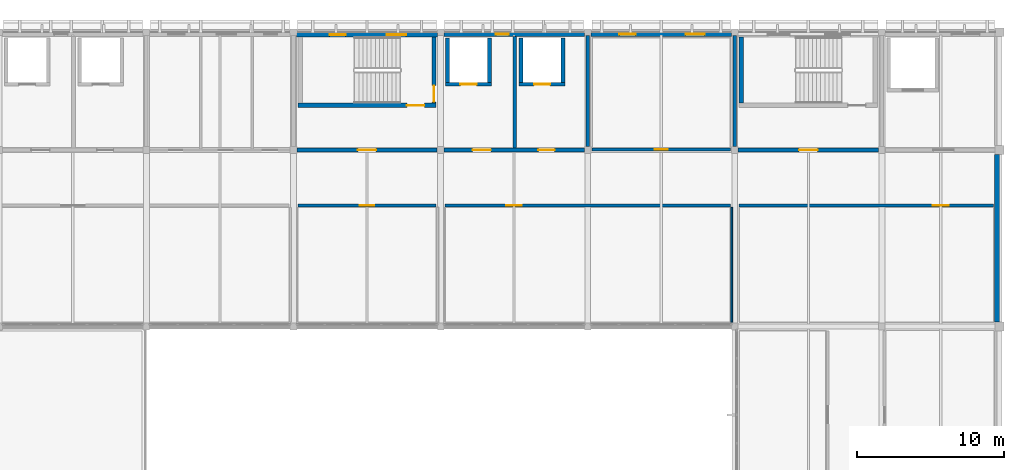
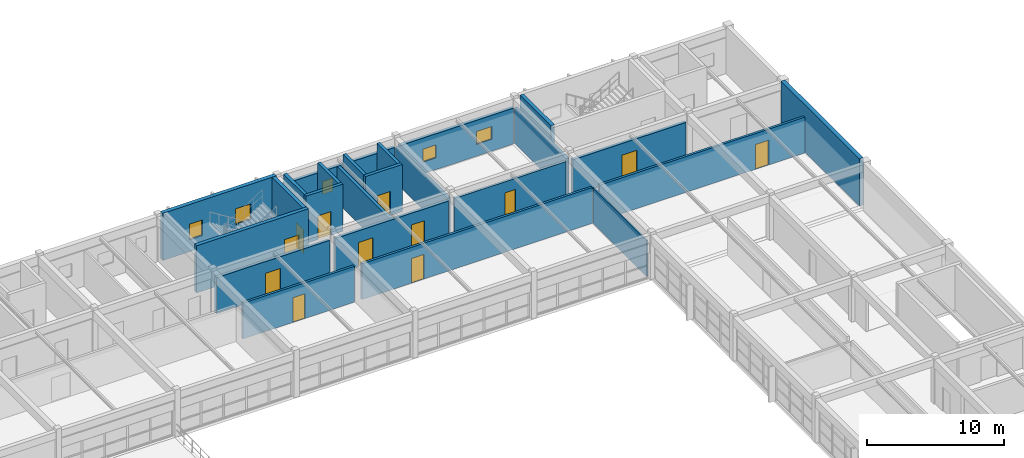
# One storey, part 16 of 21: 24 walls, 12 doors, 5 windows, 17 openings.
"""IFC4 building model written with IfcOpenShell, lengths in metres."""

from ifc_helpers import new_model, si_unit, direction, frame, frame_2d, origin, place, context, subcontext, project, spatial, rectangle, extrude, material, layer, layer_set, type_object, element, fill, save


model = new_model("IFC4")

# Units and contexts
model_context = context("Model", 3, precision=1e-05, world=origin(), true_north=direction((0.0, 1.0)))
body_context = subcontext(model_context, "Body", "Model", "MODEL_VIEW")
ifc_project = project(units=[si_unit("LENGTHUNIT", "METRE"), si_unit("AREAUNIT", "SQUARE_METRE"), si_unit("VOLUMEUNIT", "CUBIC_METRE"), si_unit("PLANEANGLEUNIT", "RADIAN"), si_unit("MASSUNIT", "GRAM", prefix="KILO")], contexts=[model_context])

# Site, building, storey
site_placement = place(None, origin())
site = spatial("IfcSite", under=ifc_project, at=site_placement, CompositionType="ELEMENT")
building_placement = place(site_placement, origin())
building = spatial("IfcBuilding", under=site, at=building_placement, Name="Kivolera Central Railway Station", CompositionType="ELEMENT")
storey_placement = place(building_placement, frame((0.0, 0.0, 22.800048828125)))
storey = spatial("IfcBuildingStorey", under=building, at=storey_placement, Name="L05", CompositionType="ELEMENT", Elevation=22.800048828125)

# Wall, opening, door
ifc_material_1 = material(Name="Swahili coral limestone", Category="masonry")
ifc_layer_1 = layer(ifc_material_1, 0.199951171875, Name="Swahili coral limestone")
ifc_layer_set_1 = layer_set([ifc_layer_1], Name="Swahili coral limestone")
wall_type_1 = type_object("IfcWallType", Name="WL-COR-200", PredefinedType="PARTITIONING", material=ifc_layer_set_1)
wall_1_placement = place(storey_placement, frame((168.300048828125, 126.030029296875, 0.0), z_axis=(0.0, 0.0, 1.0), x_axis=(1.0, 0.0, 0.0)))
wall_1 = element("IfcWall", 1, at=wall_1_placement, inside=storey, type_object=wall_type_1, Name="L05 Occupational Health Examination Room Corridor Wall", PredefinedType="PARTITIONING", context=body_context, shape_type="SweptSolid", body=[
    extrude(rectangle(XDim=9.39990234375, YDim=0.199951171875, at=frame_2d((4.699951171875, 0.0))), origin(), (0.0, 0.0, 1.0), 3.18798828125),
])
opening_1_placement = place(wall_1_placement, frame((4.25, 0.0, 0.0)))
opening_1 = element("IfcOpeningElement", 2, at=opening_1_placement, cuts=wall_1, Name="Opening D-SG-07", PredefinedType="OPENING", context=body_context, shape_type="SweptSolid", body=[
    extrude(rectangle(XDim=0.89990234375, YDim=2.199951171875, at=frame_2d((0.449951171875, 1.10009765625))), frame((0.0, 0.10986328125, 0.0), z_axis=(0.0, -1.0, 0.0), x_axis=(1.0, 0.0, 0.0)), (0.0, 0.0, 1.0), 0.219970703125),
])
ifc_material_2 = material(Name="Hardwood mvule timber", Category="wood")
door_type_1 = type_object("IfcDoorType", Name="DR-D-SG-07", OperationType="NOTDEFINED", PredefinedType="DOOR", material=ifc_material_2)
door_1_placement = place(opening_1_placement, origin())
door_1 = element("IfcDoor", 3, at=door_1_placement, inside=storey, type_object=door_type_1, Name="L05 Occupational Health Examination Room Door", OperationType="SINGLE_SWING_RIGHT", OverallHeight=2.199951171875, OverallWidth=0.89990234375, PredefinedType="DOOR", context=body_context, shape_type="SweptSolid", body=[
    extrude(rectangle(XDim=0.89990234375, YDim=2.199951171875, at=frame_2d((0.449951171875, 1.10009765625))), frame((0.0, 0.02490234375, 0.0), z_axis=(0.0, -1.0, 0.0), x_axis=(1.0, 0.0, 0.0)), (0.0, 0.0, 1.0), 0.050048828125),
])
fill(opening_1, door_1)

wall_2_placement = place(storey_placement, frame((148.300048828125, 122.219970703125, 0.0), z_axis=(0.0, 0.0, 1.0), x_axis=(1.0, 0.0, 0.0)))
wall_2 = element("IfcWall", 4, at=wall_2_placement, inside=storey, type_object=wall_type_1, Name="L05 Staff Canteen Culinary Studio Corridor Wall", PredefinedType="PARTITIONING", context=body_context, shape_type="SweptSolid", body=[
    extrude(rectangle(XDim=9.39990234375, YDim=0.199951171875, at=frame_2d((4.699951171875, 0.0))), origin(), (0.0, 0.0, 1.0), 3.18798828125),
])
opening_2_placement = place(wall_2_placement, frame((4.199951171875, 0.0, 0.0)))
opening_2 = element("IfcOpeningElement", 5, at=opening_2_placement, cuts=wall_2, Name="Opening D-SG-09", PredefinedType="OPENING", context=body_context, shape_type="SweptSolid", body=[
    extrude(rectangle(XDim=1.0, YDim=2.199951171875, at=frame_2d((0.5, 1.10009765625))), frame((0.0, 0.10986328125, 0.0), z_axis=(0.0, -1.0, 0.0), x_axis=(1.0, 0.0, 0.0)), (0.0, 0.0, 1.0), 0.219970703125),
])
door_type_2 = type_object("IfcDoorType", Name="DR-D-SG-09", OperationType="NOTDEFINED", PredefinedType="DOOR", material=ifc_material_2)
door_2_placement = place(opening_2_placement, origin())
door_2 = element("IfcDoor", 6, at=door_2_placement, inside=storey, type_object=door_type_2, Name="L05 Staff Canteen Culinary Studio Door", OperationType="SINGLE_SWING_LEFT", OverallHeight=2.199951171875, OverallWidth=1.0, PredefinedType="DOOR", context=body_context, shape_type="SweptSolid", body=[
    extrude(rectangle(XDim=1.0, YDim=2.199951171875, at=frame_2d((0.5, 1.10009765625))), frame((0.0, 0.02490234375, 0.0), z_axis=(0.0, -1.0, 0.0), x_axis=(1.0, 0.0, 0.0)), (0.0, 0.0, 1.0), 0.050048828125),
])
fill(opening_2, door_2)

wall_3_placement = place(storey_placement, frame((158.300048828125, 122.219970703125, 0.0), z_axis=(0.0, 0.0, 1.0), x_axis=(1.0, 0.0, 0.0)))
wall_3 = element("IfcWall", 7, at=wall_3_placement, inside=storey, type_object=wall_type_1, Name="L05 Locomotive Crew Rostering Office Corridor Wall", PredefinedType="PARTITIONING", context=body_context, shape_type="SweptSolid", body=[
    extrude(rectangle(XDim=19.39990234375, YDim=0.199951171875, at=frame_2d((9.699951171875, 0.0))), origin(), (0.0, 0.0, 1.0), 3.18798828125),
])
opening_3_placement = place(wall_3_placement, frame((4.175048828125, 0.0, 0.0)))
opening_3 = element("IfcOpeningElement", 8, at=opening_3_placement, cuts=wall_3, Name="Opening D-SG-10", PredefinedType="OPENING", context=body_context, shape_type="SweptSolid", body=[
    extrude(rectangle(XDim=1.050048828125, YDim=2.199951171875, at=frame_2d((0.52490234375, 1.10009765625))), frame((0.0, 0.10986328125, 0.0), z_axis=(0.0, -1.0, 0.0), x_axis=(1.0, 0.0, 0.0)), (0.0, 0.0, 1.0), 0.219970703125),
])
door_type_3 = type_object("IfcDoorType", Name="DR-D-SG-10", OperationType="NOTDEFINED", PredefinedType="DOOR", material=ifc_material_2)
door_3_placement = place(opening_3_placement, origin())
door_3 = element("IfcDoor", 9, at=door_3_placement, inside=storey, type_object=door_type_3, Name="L05 Locomotive Crew Rostering Office Door", OperationType="SINGLE_SWING_RIGHT", OverallHeight=2.199951171875, OverallWidth=1.050048828125, PredefinedType="DOOR", context=body_context, shape_type="SweptSolid", body=[
    extrude(rectangle(XDim=1.050048828125, YDim=2.199951171875, at=frame_2d((0.52490234375, 1.10009765625))), frame((0.0, 0.02490234375, 0.0), z_axis=(0.0, -1.0, 0.0), x_axis=(1.0, 0.0, 0.0)), (0.0, 0.0, 1.0), 0.050048828125),
])
fill(opening_3, door_3)

wall_4_placement = place(storey_placement, frame((178.300048828125, 122.219970703125, 0.0), z_axis=(0.0, 0.0, 1.0), x_axis=(1.0, 0.0, 0.0)))
wall_4 = element("IfcWall", 10, at=wall_4_placement, inside=storey, type_object=wall_type_1, Name="L05 Conductors' Shift Briefing Classroom Corridor Wall", PredefinedType="PARTITIONING", context=body_context, shape_type="SweptSolid", body=[
    extrude(rectangle(XDim=17.300048828125, YDim=0.199951171875, at=frame_2d((8.64990234375, 0.0))), origin(), (0.0, 0.0, 1.0), 3.18798828125),
])
opening_4_placement = place(wall_4_placement, frame((13.14990234375, 0.0, 0.0)))
opening_4 = element("IfcOpeningElement", 11, at=opening_4_placement, cuts=wall_4, Name="Opening D-SG-11", PredefinedType="OPENING", context=body_context, shape_type="SweptSolid", body=[
    extrude(rectangle(XDim=1.10009765625, YDim=2.199951171875, at=frame_2d((0.550048828125, 1.10009765625))), frame((0.0, 0.10986328125, 0.0), z_axis=(0.0, -1.0, 0.0), x_axis=(1.0, 0.0, 0.0)), (0.0, 0.0, 1.0), 0.219970703125),
])
door_type_4 = type_object("IfcDoorType", Name="DR-D-SG-11", OperationType="NOTDEFINED", PredefinedType="DOOR", material=ifc_material_2)
door_4_placement = place(opening_4_placement, origin())
door_4 = element("IfcDoor", 12, at=door_4_placement, inside=storey, type_object=door_type_4, Name="L05 Conductors' Shift Briefing Classroom Door", OperationType="SINGLE_SWING_LEFT", OverallHeight=2.199951171875, OverallWidth=1.10009765625, PredefinedType="DOOR", context=body_context, shape_type="SweptSolid", body=[
    extrude(rectangle(XDim=1.10009765625, YDim=2.199951171875, at=frame_2d((0.550048828125, 1.10009765625))), frame((0.0, 0.02490234375, 0.0), z_axis=(0.0, -1.0, 0.0), x_axis=(1.0, 0.0, 0.0)), (0.0, 0.0, 1.0), 0.050048828125),
])
fill(opening_4, door_4)

ifc_material_3 = material(Name="Concrete C40/50", Category="concrete")
ifc_layer_2 = layer(ifc_material_3, 0.300048828125, Name="Concrete C40/50")
ifc_layer_set_2 = layer_set([ifc_layer_2], Name="Concrete C40/50")
wall_type_2 = type_object("IfcWallType", Name="WL-CORE-300", PredefinedType="SHEAR", material=ifc_layer_set_2)
wall_5_placement = place(storey_placement, frame((157.699951171875, 129.030029296875, 0.0), z_axis=(0.0, 0.0, 1.0), x_axis=(-1.0, 0.0, 0.0)))
wall_5 = element("IfcWall", 13, at=wall_5_placement, inside=storey, type_object=wall_type_2, Name="L05 ST2 Core Right Shear Wall", PredefinedType="SHEAR", context=body_context, shape_type="SweptSolid", body=[
    extrude(rectangle(XDim=9.39990234375, YDim=0.300048828125, at=frame_2d((4.699951171875, 0.0))), origin(), (0.0, 0.0, 1.0), 4.199951171875),
])
opening_5_placement = place(wall_5_placement, frame((0.800048828125, 0.0, 0.0)))
opening_5 = element("IfcOpeningElement", 14, at=opening_5_placement, cuts=wall_5, Name="Opening D-STAIR-1200", PredefinedType="OPENING", context=body_context, shape_type="SweptSolid", body=[
    extrude(rectangle(XDim=1.199951171875, YDim=2.14990234375, at=frame_2d((0.60009765625, 1.074951171875))), frame((0.0, 0.159912109375, 0.0), z_axis=(0.0, -1.0, 0.0), x_axis=(1.0, 0.0, 0.0)), (0.0, 0.0, 1.0), 0.320068359375),
])
door_type_5 = type_object("IfcDoorType", Name="DR-D-STAIR-1200", OperationType="NOTDEFINED", PredefinedType="DOOR", material=ifc_material_2)
door_5_placement = place(opening_5_placement, origin())
door_5 = element("IfcDoor", 15, at=door_5_placement, inside=storey, type_object=door_type_5, Name="L05 ST2 Vestibule Fire Door", OperationType="SINGLE_SWING_LEFT", OverallHeight=2.14990234375, OverallWidth=1.199951171875, PredefinedType="DOOR", context=body_context, shape_type="SweptSolid", body=[
    extrude(rectangle(XDim=1.199951171875, YDim=2.14990234375, at=frame_2d((0.60009765625, 1.074951171875))), frame((0.0, 0.02490234375, 0.0), z_axis=(0.0, -1.0, 0.0), x_axis=(1.0, 0.0, 0.0)), (0.0, 0.0, 1.0), 0.050048828125),
])
fill(opening_5, door_5)

wall_6_placement = place(storey_placement, frame((157.550048828125, 133.679931640625, 0.0), z_axis=(0.0, 0.0, 1.0), x_axis=(0.0, -1.0, 0.0)))
wall_6 = element("IfcWall", 16, at=wall_6_placement, inside=storey, type_object=wall_type_2, Name="L05 ST2 Core Near Shear Wall", PredefinedType="SHEAR", context=body_context, shape_type="SweptSolid", body=[
    extrude(rectangle(XDim=4.5, YDim=0.300048828125, at=frame_2d((2.25, 0.0))), origin(), (0.0, 0.0, 1.0), 4.199951171875),
])
opening_6_placement = place(wall_6_placement, frame((3.300048828125, 0.0, 0.0)))
opening_6 = element("IfcOpeningElement", 17, at=opening_6_placement, cuts=wall_6, Name="Opening D-FFL-1100", PredefinedType="OPENING", context=body_context, shape_type="SweptSolid", body=[
    extrude(rectangle(XDim=1.10009765625, YDim=2.14990234375, at=frame_2d((0.550048828125, 1.074951171875))), frame((0.0, 0.159912109375, 0.0), z_axis=(0.0, -1.0, 0.0), x_axis=(1.0, 0.0, 0.0)), (0.0, 0.0, 1.0), 0.320068359375),
])
door_type_6 = type_object("IfcDoorType", Name="DR-D-FFL-1100", OperationType="NOTDEFINED", PredefinedType="DOOR", material=ifc_material_2)
door_6_placement = place(opening_6_placement, origin())
door_6 = element("IfcDoor", 18, at=door_6_placement, inside=storey, type_object=door_type_6, Name="L05 Firefighting Lobby to ST2 Fire Door", OperationType="SINGLE_SWING_RIGHT", OverallHeight=2.14990234375, OverallWidth=1.10009765625, PredefinedType="DOOR", context=body_context, shape_type="SweptSolid", body=[
    extrude(rectangle(XDim=1.10009765625, YDim=2.14990234375, at=frame_2d((0.550048828125, 1.074951171875))), frame((0.0, 0.02490234375, 0.0), z_axis=(0.0, -1.0, 0.0), x_axis=(1.0, 0.0, 0.0)), (0.0, 0.0, 1.0), 0.050048828125),
])
fill(opening_6, door_6)

# Wall
wall_7_placement = place(storey_placement, frame((178.449951171875, 129.179931640625, 0.0), z_axis=(0.0, 0.0, 1.0), x_axis=(0.0, 1.0, 0.0)))
element("IfcWall", 19, at=wall_7_placement, inside=storey, type_object=wall_type_2, Name="L05 ST3 Core Far Shear Wall", PredefinedType="SHEAR", context=body_context, shape_type="SweptSolid", body=[
    extrude(rectangle(XDim=4.5, YDim=0.300048828125, at=frame_2d((2.25, 0.0))), origin(), (0.0, 0.0, 1.0), 4.199951171875),
])

# Wall, openings, windows
ifc_layer_3 = layer(ifc_material_3, 0.320068359375, Name="Concrete C40/50")
ifc_layer_set_3 = layer_set([ifc_layer_3], Name="Concrete C40/50")
wall_type_3 = type_object("IfcWallType", Name="WL-CORE-EXT-320", PredefinedType="SHEAR", material=ifc_layer_set_3)
wall_8_placement = place(storey_placement, frame((148.219970703125, 133.840087890625, 0.0), z_axis=(0.0, 0.0, 1.0), x_axis=(1.0, 0.0, 0.0)))
wall_8 = element("IfcWall", 20, at=wall_8_placement, inside=storey, type_object=wall_type_3, Name="L05 North Street Facade Wall Bay 4", PredefinedType="SHEAR", context=body_context, shape_type="SweptSolid", body=[
    extrude(rectangle(XDim=9.56005859375, YDim=0.320068359375, at=frame_2d((4.780029296875, 0.0))), origin(), (0.0, 0.0, 1.0), 4.199951171875),
])
opening_7_placement = place(wall_8_placement, frame((2.22998046875, 0.0, 1.050048828125)))
opening_7 = element("IfcOpeningElement", 21, at=opening_7_placement, cuts=wall_8, Name="Opening WN-14", PredefinedType="OPENING", context=body_context, shape_type="SweptSolid", body=[
    extrude(rectangle(XDim=1.10009765625, YDim=1.39990234375, at=frame_2d((0.550048828125, 0.699951171875))), frame((0.0, 0.169921875, 0.0), z_axis=(0.0, -1.0, 0.0), x_axis=(1.0, 0.0, 0.0)), (0.0, 0.0, 1.0), 0.340087890625),
])
opening_8_placement = place(wall_8_placement, frame((6.1298828125, 0.0, 1.050048828125)))
opening_8 = element("IfcOpeningElement", 22, at=opening_8_placement, cuts=wall_8, Name="Opening WN-15", PredefinedType="OPENING", context=body_context, shape_type="SweptSolid", body=[
    extrude(rectangle(XDim=1.300048828125, YDim=1.39990234375, at=frame_2d((0.64990234375, 0.699951171875))), frame((0.0, 0.169921875, 0.0), z_axis=(0.0, -1.0, 0.0), x_axis=(1.0, 0.0, 0.0)), (0.0, 0.0, 1.0), 0.340087890625),
])
ifc_material_4 = material(Name="Double low-E laminated glass", Category="glass")
window_type_1 = type_object("IfcWindowType", Name="WIN-WN-14", PartitioningType="SINGLE_PANEL", PredefinedType="WINDOW", material=ifc_material_4)
window_1_placement = place(opening_7_placement, origin())
window_1 = element("IfcWindow", 23, at=window_1_placement, inside=storey, type_object=window_type_1, Name="L05 North Street Window Bay 4.1", OverallHeight=1.39990234375, OverallWidth=1.10009765625, PartitioningType="SINGLE_PANEL", PredefinedType="WINDOW", context=body_context, shape_type="SweptSolid", body=[
    extrude(rectangle(XDim=1.10009765625, YDim=1.39990234375, at=frame_2d((0.550048828125, 0.699951171875))), frame((0.0, 0.030029296875, 0.0), z_axis=(0.0, -1.0, 0.0), x_axis=(1.0, 0.0, 0.0)), (0.0, 0.0, 1.0), 0.06005859375),
])
fill(opening_7, window_1)
window_type_2 = type_object("IfcWindowType", Name="WIN-WN-15", PartitioningType="SINGLE_PANEL", PredefinedType="WINDOW", material=ifc_material_4)
window_2_placement = place(opening_8_placement, origin())
window_2 = element("IfcWindow", 24, at=window_2_placement, inside=storey, type_object=window_type_2, Name="L05 North Street Window Bay 4.2", OverallHeight=1.39990234375, OverallWidth=1.300048828125, PartitioningType="SINGLE_PANEL", PredefinedType="WINDOW", context=body_context, shape_type="SweptSolid", body=[
    extrude(rectangle(XDim=1.300048828125, YDim=1.39990234375, at=frame_2d((0.64990234375, 0.699951171875))), frame((0.0, 0.030029296875, 0.0), z_axis=(0.0, -1.0, 0.0), x_axis=(1.0, 0.0, 0.0)), (0.0, 0.0, 1.0), 0.06005859375),
])
fill(opening_8, window_2)

# Wall, opening, window
ifc_layer_4 = layer(ifc_material_1, 0.27001953125, Name="Swahili coral limestone")
ifc_layer_set_4 = layer_set([ifc_layer_4], Name="Swahili coral limestone")
wall_type_4 = type_object("IfcWallType", Name="WL-EXT-CORAL-270", PredefinedType="SOLIDWALL", material=ifc_layer_set_4)
wall_9_placement = place(storey_placement, frame((158.219970703125, 133.864990234375, 0.0), z_axis=(0.0, 0.0, 1.0), x_axis=(1.0, 0.0, 0.0)))
wall_9 = element("IfcWall", 25, at=wall_9_placement, inside=storey, type_object=wall_type_4, Name="L05 North Street Facade Wall Bay 5", PredefinedType="SOLIDWALL", context=body_context, shape_type="SweptSolid", body=[
    extrude(rectangle(XDim=9.56005859375, YDim=0.27001953125, at=frame_2d((4.780029296875, 0.0))), origin(), (0.0, 0.0, 1.0), 3.18798828125),
])
opening_9_placement = place(wall_9_placement, frame((3.530029296875, 0.0, 1.050048828125)))
opening_9 = element("IfcOpeningElement", 26, at=opening_9_placement, cuts=wall_9, Name="Opening WN-01", PredefinedType="OPENING", context=body_context, shape_type="SweptSolid", body=[
    extrude(rectangle(XDim=0.89990234375, YDim=1.14990234375, at=frame_2d((0.449951171875, 0.574951171875))), frame((0.0, 0.14501953125, 0.0), z_axis=(0.0, -1.0, 0.0), x_axis=(1.0, 0.0, 0.0)), (0.0, 0.0, 1.0), 0.2900390625),
])
window_type_3 = type_object("IfcWindowType", Name="WIN-WN-01", PartitioningType="SINGLE_PANEL", PredefinedType="WINDOW", material=ifc_material_4)
window_3_placement = place(opening_9_placement, origin())
window_3 = element("IfcWindow", 27, at=window_3_placement, inside=storey, type_object=window_type_3, Name="L05 North Street Window Bay 5.1", OverallHeight=1.14990234375, OverallWidth=0.89990234375, PartitioningType="SINGLE_PANEL", PredefinedType="WINDOW", context=body_context, shape_type="SweptSolid", body=[
    extrude(rectangle(XDim=0.89990234375, YDim=1.14990234375, at=frame_2d((0.449951171875, 0.574951171875))), frame((0.0, 0.030029296875, 0.0), z_axis=(0.0, -1.0, 0.0), x_axis=(1.0, 0.0, 0.0)), (0.0, 0.0, 1.0), 0.06005859375),
])
fill(opening_9, window_3)

# Wall, openings, windows
wall_10_placement = place(storey_placement, frame((168.219970703125, 133.864990234375, 0.0), z_axis=(0.0, 0.0, 1.0), x_axis=(1.0, 0.0, 0.0)))
wall_10 = element("IfcWall", 28, at=wall_10_placement, inside=storey, type_object=wall_type_4, Name="L05 North Street Facade Wall Bay 6", PredefinedType="SOLIDWALL", context=body_context, shape_type="SweptSolid", body=[
    extrude(rectangle(XDim=9.56005859375, YDim=0.27001953125, at=frame_2d((4.780029296875, 0.0))), origin(), (0.0, 0.0, 1.0), 3.18798828125),
])
opening_10_placement = place(wall_10_placement, frame((1.929931640625, 0.0, 1.050048828125)))
opening_10 = element("IfcOpeningElement", 29, at=opening_10_placement, cuts=wall_10, Name="Opening WN-02", PredefinedType="OPENING", context=body_context, shape_type="SweptSolid", body=[
    extrude(rectangle(XDim=1.10009765625, YDim=1.14990234375, at=frame_2d((0.550048828125, 0.574951171875))), frame((0.0, 0.14501953125, 0.0), z_axis=(0.0, -1.0, 0.0), x_axis=(1.0, 0.0, 0.0)), (0.0, 0.0, 1.0), 0.2900390625),
])
opening_11_placement = place(wall_10_placement, frame((6.429931640625, 0.0, 1.050048828125)))
opening_11 = element("IfcOpeningElement", 30, at=opening_11_placement, cuts=wall_10, Name="Opening WN-03", PredefinedType="OPENING", context=body_context, shape_type="SweptSolid", body=[
    extrude(rectangle(XDim=1.300048828125, YDim=1.14990234375, at=frame_2d((0.64990234375, 0.574951171875))), frame((0.0, 0.14501953125, 0.0), z_axis=(0.0, -1.0, 0.0), x_axis=(1.0, 0.0, 0.0)), (0.0, 0.0, 1.0), 0.2900390625),
])
window_type_4 = type_object("IfcWindowType", Name="WIN-WN-02", PartitioningType="SINGLE_PANEL", PredefinedType="WINDOW", material=ifc_material_4)
window_4_placement = place(opening_10_placement, origin())
window_4 = element("IfcWindow", 31, at=window_4_placement, inside=storey, type_object=window_type_4, Name="L05 North Street Window Bay 6.1", OverallHeight=1.14990234375, OverallWidth=1.10009765625, PartitioningType="SINGLE_PANEL", PredefinedType="WINDOW", context=body_context, shape_type="SweptSolid", body=[
    extrude(rectangle(XDim=1.10009765625, YDim=1.14990234375, at=frame_2d((0.550048828125, 0.574951171875))), frame((0.0, 0.030029296875, 0.0), z_axis=(0.0, -1.0, 0.0), x_axis=(1.0, 0.0, 0.0)), (0.0, 0.0, 1.0), 0.06005859375),
])
fill(opening_10, window_4)
window_type_5 = type_object("IfcWindowType", Name="WIN-WN-03", PartitioningType="SINGLE_PANEL", PredefinedType="WINDOW", material=ifc_material_4)
window_5_placement = place(opening_11_placement, origin())
window_5 = element("IfcWindow", 32, at=window_5_placement, inside=storey, type_object=window_type_5, Name="L05 North Street Window Bay 6.2", OverallHeight=1.14990234375, OverallWidth=1.300048828125, PartitioningType="SINGLE_PANEL", PredefinedType="WINDOW", context=body_context, shape_type="SweptSolid", body=[
    extrude(rectangle(XDim=1.300048828125, YDim=1.14990234375, at=frame_2d((0.64990234375, 0.574951171875))), frame((0.0, 0.030029296875, 0.0), z_axis=(0.0, -1.0, 0.0), x_axis=(1.0, 0.0, 0.0)), (0.0, 0.0, 1.0), 0.06005859375),
])
fill(opening_11, window_5)

# Wall, opening, door
ifc_layer_5 = layer(ifc_material_3, 0.25, Name="Concrete C40/50")
ifc_layer_set_5 = layer_set([ifc_layer_5], Name="Concrete C40/50")
wall_type_5 = type_object("IfcWallType", Name="WL-FFL-250", PredefinedType="PARTITIONING", material=ifc_layer_set_5)
wall_11_placement = place(storey_placement, frame((148.22998046875, 126.0, 0.0), z_axis=(0.0, 0.0, 1.0), x_axis=(1.0, 0.0, 0.0)))
wall_11 = element("IfcWall", 33, at=wall_11_placement, inside=storey, type_object=wall_type_5, Name="L05 North Core Corridor Wall 148", PredefinedType="PARTITIONING", context=body_context, shape_type="SweptSolid", body=[
    extrude(rectangle(XDim=9.5400390625, YDim=0.25, at=frame_2d((4.77001953125, 0.0))), origin(), (0.0, 0.0, 1.0), 3.18798828125),
])
opening_12_placement = place(wall_11_placement, frame((4.14501953125, 0.0, 0.0)))
opening_12 = element("IfcOpeningElement", 34, at=opening_12_placement, cuts=wall_11, Name="Opening D-FFL-1250", PredefinedType="OPENING", context=body_context, shape_type="SweptSolid", body=[
    extrude(rectangle(XDim=1.25, YDim=2.14990234375, at=frame_2d((0.625, 1.074951171875))), frame((0.0, 0.135009765625, 0.0), z_axis=(0.0, -1.0, 0.0), x_axis=(1.0, 0.0, 0.0)), (0.0, 0.0, 1.0), 0.27001953125),
])
door_type_7 = type_object("IfcDoorType", Name="DR-D-FFL-1250", OperationType="NOTDEFINED", PredefinedType="DOOR", material=ifc_material_2)
door_7_placement = place(opening_12_placement, origin())
door_7 = element("IfcDoor", 35, at=door_7_placement, inside=storey, type_object=door_type_7, Name="L05 ST2 Vestibule Corridor Door", OperationType="SINGLE_SWING_RIGHT", OverallHeight=2.14990234375, OverallWidth=1.25, PredefinedType="DOOR", context=body_context, shape_type="SweptSolid", body=[
    extrude(rectangle(XDim=1.25, YDim=2.14990234375, at=frame_2d((0.625, 1.074951171875))), frame((0.0, 0.02490234375, 0.0), z_axis=(0.0, -1.0, 0.0), x_axis=(1.0, 0.0, 0.0)), (0.0, 0.0, 1.0), 0.050048828125),
])
fill(opening_12, door_7)

# Wall, openings, doors
wall_12_placement = place(storey_placement, frame((158.22998046875, 126.0, 0.0), z_axis=(0.0, 0.0, 1.0), x_axis=(1.0, 0.0, 0.0)))
wall_12 = element("IfcWall", 36, at=wall_12_placement, inside=storey, type_object=wall_type_5, Name="L05 North Core Corridor Wall 158", PredefinedType="PARTITIONING", context=body_context, shape_type="SweptSolid", body=[
    extrude(rectangle(XDim=9.5400390625, YDim=0.25, at=frame_2d((4.77001953125, 0.0))), origin(), (0.0, 0.0, 1.0), 3.18798828125),
])
opening_13_placement = place(wall_12_placement, frame((1.945068359375, 0.0, 0.0)))
opening_13 = element("IfcOpeningElement", 37, at=opening_13_placement, cuts=wall_12, Name="Opening D-FFL-1250", PredefinedType="OPENING", context=body_context, shape_type="SweptSolid", body=[
    extrude(rectangle(XDim=1.25, YDim=2.14990234375, at=frame_2d((0.625, 1.074951171875))), frame((0.0, 0.135009765625, 0.0), z_axis=(0.0, -1.0, 0.0), x_axis=(1.0, 0.0, 0.0)), (0.0, 0.0, 1.0), 0.27001953125),
])
opening_14_placement = place(wall_12_placement, frame((6.419921875, 0.0, 0.0)))
opening_14 = element("IfcOpeningElement", 38, at=opening_14_placement, cuts=wall_12, Name="Opening D-FFL-1100", PredefinedType="OPENING", context=body_context, shape_type="SweptSolid", body=[
    extrude(rectangle(XDim=1.10009765625, YDim=2.14990234375, at=frame_2d((0.550048828125, 1.074951171875))), frame((0.0, 0.135009765625, 0.0), z_axis=(0.0, -1.0, 0.0), x_axis=(1.0, 0.0, 0.0)), (0.0, 0.0, 1.0), 0.27001953125),
])
door_8_placement = place(opening_14_placement, origin())
door_8 = element("IfcDoor", 39, at=door_8_placement, inside=storey, type_object=door_type_6, Name="L05 PL2 Lift Lobby Door", OperationType="SINGLE_SWING_RIGHT", OverallHeight=2.14990234375, OverallWidth=1.10009765625, PredefinedType="DOOR", context=body_context, shape_type="SweptSolid", body=[
    extrude(rectangle(XDim=1.10009765625, YDim=2.14990234375, at=frame_2d((0.550048828125, 1.074951171875))), frame((0.0, 0.02490234375, 0.0), z_axis=(0.0, -1.0, 0.0), x_axis=(1.0, 0.0, 0.0)), (0.0, 0.0, 1.0), 0.050048828125),
])
fill(opening_14, door_8)
door_9_placement = place(opening_13_placement, origin())
door_9 = element("IfcDoor", 40, at=door_9_placement, inside=storey, type_object=door_type_7, Name="L05 FL2 Firefighting Lobby Corridor Fire Door", OperationType="SINGLE_SWING_LEFT", OverallHeight=2.14990234375, OverallWidth=1.25, PredefinedType="DOOR", context=body_context, shape_type="SweptSolid", body=[
    extrude(rectangle(XDim=1.25, YDim=2.14990234375, at=frame_2d((0.625, 1.074951171875))), frame((0.0, 0.02490234375, 0.0), z_axis=(0.0, -1.0, 0.0), x_axis=(1.0, 0.0, 0.0)), (0.0, 0.0, 1.0), 0.050048828125),
])
fill(opening_13, door_9)

# Wall, opening, door
wall_13_placement = place(storey_placement, frame((178.22998046875, 126.0, 0.0), z_axis=(0.0, 0.0, 1.0), x_axis=(1.0, 0.0, 0.0)))
wall_13 = element("IfcWall", 41, at=wall_13_placement, inside=storey, type_object=wall_type_5, Name="L05 North Core Corridor Wall 178", PredefinedType="PARTITIONING", context=body_context, shape_type="SweptSolid", body=[
    extrude(rectangle(XDim=9.5400390625, YDim=0.25, at=frame_2d((4.77001953125, 0.0))), origin(), (0.0, 0.0, 1.0), 3.18798828125),
])
opening_15_placement = place(wall_13_placement, frame((4.14501953125, 0.0, 0.0)))
opening_15 = element("IfcOpeningElement", 42, at=opening_15_placement, cuts=wall_13, Name="Opening D-FFL-1250", PredefinedType="OPENING", context=body_context, shape_type="SweptSolid", body=[
    extrude(rectangle(XDim=1.25, YDim=2.14990234375, at=frame_2d((0.625, 1.074951171875))), frame((0.0, 0.135009765625, 0.0), z_axis=(0.0, -1.0, 0.0), x_axis=(1.0, 0.0, 0.0)), (0.0, 0.0, 1.0), 0.27001953125),
])
door_10_placement = place(opening_15_placement, origin())
door_10 = element("IfcDoor", 43, at=door_10_placement, inside=storey, type_object=door_type_7, Name="L05 ST3 Vestibule Corridor Door", OperationType="SINGLE_SWING_LEFT", OverallHeight=2.14990234375, OverallWidth=1.25, PredefinedType="DOOR", context=body_context, shape_type="SweptSolid", body=[
    extrude(rectangle(XDim=1.25, YDim=2.14990234375, at=frame_2d((0.625, 1.074951171875))), frame((0.0, 0.02490234375, 0.0), z_axis=(0.0, -1.0, 0.0), x_axis=(1.0, 0.0, 0.0)), (0.0, 0.0, 1.0), 0.050048828125),
])
fill(opening_15, door_10)

# Walls
wall_14_placement = place(storey_placement, frame((163.050048828125, 126.125, 0.0), z_axis=(0.0, 0.0, 1.0), x_axis=(0.0, 1.0, 0.0)))
element("IfcWall", 44, at=wall_14_placement, inside=storey, type_object=wall_type_5, Name="L05 North Core Partition FFL2-DIV", PredefinedType="PARTITIONING", context=body_context, shape_type="SweptSolid", body=[
    extrude(rectangle(XDim=7.60498046875, YDim=0.25, at=frame_2d((3.802490234375, 0.0))), origin(), (0.0, 0.0, 1.0), 3.18798828125),
])
for number, where, z_axis, x_axis, name in (
    (45, (168.0, 126.22998046875, 0.0), (0.0, 0.0, 1.0), (0.0, 1.0, 0.0), "L05 North Core Partition GRID-168"),
    (46, (178.0, 126.22998046875, 0.0), (0.0, 0.0, 1.0), (0.0, 1.0, 0.0), "L05 North Core Partition GRID-178"),
):
    element("IfcWall", number, at=place(storey_placement, frame(where, z_axis=z_axis, x_axis=x_axis)), inside=storey, type_object=wall_type_5, Name=name, PredefinedType="PARTITIONING", context=body_context, shape_type="SweptSolid", body=[
        extrude(rectangle(XDim=7.5400390625, YDim=0.25, at=frame_2d((3.77001953125, 0.0))), origin(), (0.0, 0.0, 1.0), 3.18798828125),
    ])
ifc_layer_6 = layer(ifc_material_3, 0.35009765625, Name="Concrete C40/50")
ifc_layer_set_6 = layer_set([ifc_layer_6], Name="Concrete C40/50")
wall_type_6 = type_object("IfcWallType", Name="WL-PARTY-350", PredefinedType="SOLIDWALL", material=ifc_layer_set_6)
wall_15_placement = place(storey_placement, frame((195.824951171875, 125.705078125, 0.0), z_axis=(0.0, 0.0, 1.0), x_axis=(0.0, -1.0, 0.0)))
element("IfcWall", 47, at=wall_15_placement, inside=storey, type_object=wall_type_6, Name="L05 East Infill EI 120 Party Wall 114-126", PredefinedType="SOLIDWALL", context=body_context, shape_type="SweptSolid", body=[
    extrude(rectangle(XDim=11.41015625, YDim=0.35009765625, at=frame_2d((5.705078125, 0.0))), origin(), (0.0, 0.0, 1.0), 4.199951171875),
])
ifc_material_5 = material(Name="Gypsum plasterboard steel-stud partition")
ifc_layer_7 = layer(ifc_material_5, 0.1201171875, Name="Gypsum plasterboard steel-stud partition")
ifc_layer_set_7 = layer_set([ifc_layer_7], Name="Gypsum plasterboard steel-stud partition")
wall_type_7 = type_object("IfcWallType", Name="WL-PRT-120", PredefinedType="PARTITIONING", material=ifc_layer_set_7)
wall_16_placement = place(storey_placement, frame((177.800048828125, 114.300048828125, 0.0), z_axis=(0.0, 0.0, 1.0), x_axis=(0.0, 1.0, 0.0)))
element("IfcWall", 48, at=wall_16_placement, inside=storey, type_object=wall_type_7, Name="L05 Locomotive Crew Rostering Office Partition Wall", PredefinedType="PARTITIONING", context=body_context, shape_type="SweptSolid", body=[
    extrude(rectangle(XDim=7.800048828125, YDim=0.1201171875, at=frame_2d((3.89990234375, 0.0))), origin(), (0.0, 0.0, 1.0), 3.18798828125),
])

# Wall, opening, door
ifc_layer_8 = layer(ifc_material_3, 0.260009765625, Name="Concrete C40/50")
ifc_layer_set_8 = layer_set([ifc_layer_8], Name="Concrete C40/50")
wall_type_8 = type_object("IfcWallType", Name="WL-SHAFT-260", PredefinedType="SHEAR", material=ifc_layer_set_8)
wall_17_placement = place(storey_placement, frame((158.340087890625, 130.469970703125, 0.0), z_axis=(0.0, 0.0, 1.0), x_axis=(1.0, 0.0, 0.0)))
wall_17 = element("IfcWall", 49, at=wall_17_placement, inside=storey, type_object=wall_type_8, Name="L05 Lift FL2 Front Shaft Wall", PredefinedType="SHEAR", context=body_context, shape_type="SweptSolid", body=[
    extrude(rectangle(XDim=3.119873046875, YDim=0.260009765625, at=frame_2d((1.56005859375, 0.0))), origin(), (0.0, 0.0, 1.0), 4.199951171875),
])
opening_16_placement = place(wall_17_placement, frame((1.010009765625, 0.0, 0.0)))
opening_16 = element("IfcOpeningElement", 50, at=opening_16_placement, cuts=wall_17, Name="Opening LD-FFL-1100", PredefinedType="OPENING", context=body_context, shape_type="SweptSolid", body=[
    extrude(rectangle(XDim=1.10009765625, YDim=2.10009765625, at=frame_2d((0.550048828125, 1.050048828125))), frame((0.0, 0.139892578125, 0.0), z_axis=(0.0, -1.0, 0.0), x_axis=(1.0, 0.0, 0.0)), (0.0, 0.0, 1.0), 0.280029296875),
])
ifc_material_6 = material(Name="Anodised aluminium", Category="aluminium")
door_type_8 = type_object("IfcDoorType", Name="DR-LD-FFL-1100", OperationType="NOTDEFINED", PredefinedType="DOOR", material=ifc_material_6)
door_11_placement = place(opening_16_placement, origin())
door_11 = element("IfcDoor", 51, at=door_11_placement, inside=storey, type_object=door_type_8, Name="L05 Lift FL2 Sliding Landing Door", OperationType="SLIDING_TO_LEFT", OverallHeight=2.10009765625, OverallWidth=1.10009765625, PredefinedType="DOOR", context=body_context, shape_type="SweptSolid", body=[
    extrude(rectangle(XDim=1.10009765625, YDim=2.10009765625, at=frame_2d((0.550048828125, 1.050048828125))), frame((0.0, 0.02490234375, 0.0), z_axis=(0.0, -1.0, 0.0), x_axis=(1.0, 0.0, 0.0)), (0.0, 0.0, 1.0), 0.050048828125),
])
fill(opening_16, door_11)

# Walls
for number, where, z_axis, x_axis, name in (
    (52, (158.469970703125, 130.60009765625, 0.0), (0.0, 0.0, 1.0), (0.0, 1.0, 0.0), "L05 Lift FL2 West Shaft Wall"),
    (53, (161.330078125, 130.60009765625, 0.0), (0.0, 0.0, 1.0), (0.0, 1.0, 0.0), "L05 Lift FL2 East Shaft Wall"),
):
    element("IfcWall", number, at=place(storey_placement, frame(where, z_axis=z_axis, x_axis=x_axis)), inside=storey, type_object=wall_type_8, Name=name, PredefinedType="SHEAR", context=body_context, shape_type="SweptSolid", body=[
        extrude(rectangle(XDim=3.0, YDim=0.260009765625, at=frame_2d((1.5, 0.0))), origin(), (0.0, 0.0, 1.0), 4.199951171875),
    ])

# Wall, opening, door
wall_18_placement = place(storey_placement, frame((163.340087890625, 130.469970703125, 0.0), z_axis=(0.0, 0.0, 1.0), x_axis=(1.0, 0.0, 0.0)))
wall_18 = element("IfcWall", 54, at=wall_18_placement, inside=storey, type_object=wall_type_8, Name="L05 Lift PL2 Front Shaft Wall", PredefinedType="SHEAR", context=body_context, shape_type="SweptSolid", body=[
    extrude(rectangle(XDim=3.119873046875, YDim=0.260009765625, at=frame_2d((1.56005859375, 0.0))), origin(), (0.0, 0.0, 1.0), 4.199951171875),
])
opening_17_placement = place(wall_18_placement, frame((1.010009765625, 0.0, 0.0)))
opening_17 = element("IfcOpeningElement", 55, at=opening_17_placement, cuts=wall_18, Name="Opening LD-PAX-1100", PredefinedType="OPENING", context=body_context, shape_type="SweptSolid", body=[
    extrude(rectangle(XDim=1.10009765625, YDim=2.14990234375, at=frame_2d((0.550048828125, 1.074951171875))), frame((0.0, 0.139892578125, 0.0), z_axis=(0.0, -1.0, 0.0), x_axis=(1.0, 0.0, 0.0)), (0.0, 0.0, 1.0), 0.280029296875),
])
door_type_9 = type_object("IfcDoorType", Name="DR-LD-PAX-1100", OperationType="NOTDEFINED", PredefinedType="DOOR", material=ifc_material_6)
door_12_placement = place(opening_17_placement, origin())
door_12 = element("IfcDoor", 56, at=door_12_placement, inside=storey, type_object=door_type_9, Name="L05 Lift PL2 Sliding Landing Door", OperationType="SLIDING_TO_LEFT", OverallHeight=2.14990234375, OverallWidth=1.10009765625, PredefinedType="DOOR", context=body_context, shape_type="SweptSolid", body=[
    extrude(rectangle(XDim=1.10009765625, YDim=2.14990234375, at=frame_2d((0.550048828125, 1.074951171875))), frame((0.0, 0.02490234375, 0.0), z_axis=(0.0, -1.0, 0.0), x_axis=(1.0, 0.0, 0.0)), (0.0, 0.0, 1.0), 0.050048828125),
])
fill(opening_17, door_12)

# Walls
for number, where, z_axis, x_axis, name in (
    (57, (163.469970703125, 130.60009765625, 0.0), (0.0, 0.0, 1.0), (0.0, 1.0, 0.0), "L05 Lift PL2 West Shaft Wall"),
    (58, (166.330078125, 130.60009765625, 0.0), (0.0, 0.0, 1.0), (0.0, 1.0, 0.0), "L05 Lift PL2 East Shaft Wall"),
):
    element("IfcWall", number, at=place(storey_placement, frame(where, z_axis=z_axis, x_axis=x_axis)), inside=storey, type_object=wall_type_8, Name=name, PredefinedType="SHEAR", context=body_context, shape_type="SweptSolid", body=[
        extrude(rectangle(XDim=3.0, YDim=0.260009765625, at=frame_2d((1.5, 0.0))), origin(), (0.0, 0.0, 1.0), 4.199951171875),
    ])

save(model, "model.ifc")
